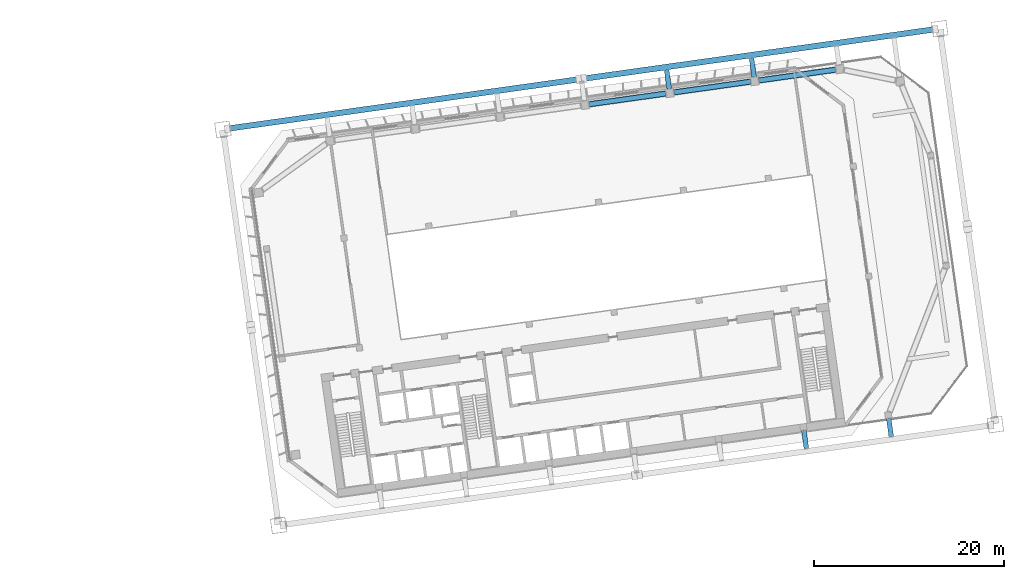
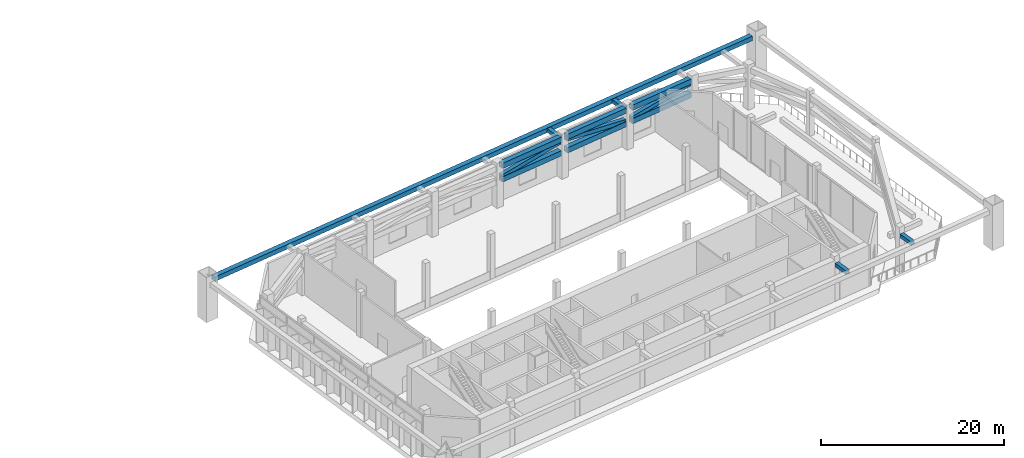
# One storey, part 15 of 41: 14 members.
"""IFC4 building model written with IfcOpenShell, lengths in metres."""

from ifc_helpers import new_model, si_unit, direction, frame, origin, origin_2d, place, context, subcontext, project, spatial, hollow_rectangle, extrude, material, material_profile, profile_set, type_object, element, save


model = new_model("IFC4")

# Units and contexts
model_context = context("Model", 3, precision=1e-05, world=origin(), true_north=direction((0.0, 1.0)))
body_context = subcontext(model_context, "Body", "Model", "MODEL_VIEW")
ifc_project = project(units=[si_unit("LENGTHUNIT", "METRE"), si_unit("AREAUNIT", "SQUARE_METRE"), si_unit("VOLUMEUNIT", "CUBIC_METRE"), si_unit("PLANEANGLEUNIT", "RADIAN"), si_unit("MASSUNIT", "GRAM", prefix="KILO")], contexts=[model_context])

# Site, building, storey
site_placement = place(None, origin())
site = spatial("IfcSite", under=ifc_project, at=site_placement, CompositionType="ELEMENT")
building_placement = place(site_placement, origin())
building = spatial("IfcBuilding", under=site, at=building_placement, Name="Mirante Cascada Hotel Towers", CompositionType="ELEMENT")
storey_placement = place(building_placement, frame((0.0, 0.0, 92.7)))
storey = spatial("IfcBuildingStorey", under=building, at=storey_placement, Name="L20", CompositionType="ELEMENT", Elevation=92.7)

# Members
ifc_material_1 = material(Name="Steel ASTM A572 Gr 50", Category="steel")
ifc_material_profile_1 = material_profile(ifc_material_1, hollow_rectangle(XDim=0.6, YDim=0.6, WallThickness=0.04, at=origin_2d()), Name="Box chord 600x600x40 ASTM A572 Gr 50")
ifc_profile_set_1 = profile_set([ifc_material_profile_1], Name="Steel ASTM A572 Gr 50")
member_type_1 = type_object("IfcMemberType", Name="Box chord 600x600x40 ASTM A572 Gr 50", PredefinedType="CHORD", material=ifc_profile_set_1)
member_1_placement = place(storey_placement, frame((25.8692, 18.6258, 4.85), z_axis=(0.990268, 0.1391737, 0.0), x_axis=(-0.1391737, 0.990268, 0.0)))
element("IfcMember", 1, at=member_1_placement, inside=storey, type_object=member_type_1, Name="exochord T2 L20 1", PredefinedType="CHORD", context=body_context, shape_type="SweptSolid", body=[
    extrude(hollow_rectangle(XDim=0.6, YDim=0.6, WallThickness=0.04, at=origin_2d()), origin(), (0.0, 0.0, 1.0), 74.4401),
])
ifc_material_2 = material(Name="Steel ASTM A572 Gr 50", Category="steel")
ifc_material_profile_2 = material_profile(ifc_material_2, hollow_rectangle(XDim=0.6, YDim=0.7, WallThickness=0.05, at=origin_2d()), Name="Box chord 700x600x50 ASTM A572 Gr 50")
ifc_profile_set_2 = profile_set([ifc_material_profile_2], Name="Steel ASTM A572 Gr 50")
member_type_2 = type_object("IfcMemberType", Name="Box chord 700x600x50 ASTM A572 Gr 50", PredefinedType="CHORD", material=ifc_profile_set_2)
for number, where, z_axis, x_axis, name in (
    (2, (63.5356, 21.1425, 5.2), (0.990269, 0.1391662, 0.0), (-0.1391662, 0.990269, 0.0), "belt T2 L20 13"),
    (3, (63.5356, 21.1425, 3.4), (0.990269, 0.1391662, 0.0), (-0.1391662, 0.990269, 0.0), "belt T2 L20 14"),
):
    element("IfcMember", number, at=place(storey_placement, frame(where, z_axis=z_axis, x_axis=x_axis)), inside=storey, type_object=member_type_2, Name=name, PredefinedType="CHORD", context=body_context, shape_type="SweptSolid", body=[
        extrude(hollow_rectangle(XDim=0.6, YDim=0.7, WallThickness=0.05, at=origin_2d()), origin(), (0.0, 0.0, 1.0), 8.1399),
    ])
for number, where, z_axis, x_axis, name in (
    (4, (72.448, 22.395, 5.2), (0.9902676, 0.1391765, 0.0), (-0.1391765, 0.9902676, 0.0), "belt T2 L20 16"),
    (5, (72.448, 22.395, 3.4), (0.9902676, 0.1391765, 0.0), (-0.1391765, 0.9902676, 0.0), "belt T2 L20 17"),
    (6, (81.3604, 23.6476, 5.2), (0.9902676, 0.1391765, 0.0), (-0.1391765, 0.9902676, 0.0), "belt T2 L20 19"),
    (7, (81.3604, 23.6476, 3.4), (0.9902676, 0.1391765, 0.0), (-0.1391765, 0.9902676, 0.0), "belt T2 L20 20"),
):
    element("IfcMember", number, at=place(storey_placement, frame(where, z_axis=z_axis, x_axis=x_axis)), inside=storey, type_object=member_type_2, Name=name, PredefinedType="CHORD", context=body_context, shape_type="SweptSolid", body=[
        extrude(hollow_rectangle(XDim=0.6, YDim=0.7, WallThickness=0.05, at=origin_2d()), origin(), (0.0, 0.0, 1.0), 8.14),
    ])
ifc_material_3 = material(Name="Steel ASTM A572 Gr 50", Category="steel")
ifc_material_profile_3 = material_profile(ifc_material_3, hollow_rectangle(XDim=0.5, YDim=0.5, WallThickness=0.035, at=origin_2d()), Name="Box diagonal 500x500x35 ASTM A572 Gr 50")
ifc_profile_set_3 = profile_set([ifc_material_profile_3], Name="Steel ASTM A572 Gr 50")
member_type_3 = type_object("IfcMemberType", Name="Box diagonal 500x500x35 ASTM A572 Gr 50", PredefinedType="BRACE", material=ifc_profile_set_3)
member_2_placement = place(storey_placement, frame((63.5356, 21.1425, 3.75), z_axis=(0.9813489, 0.1379126, 0.1339194), x_axis=(-0.1391662, 0.990269, 0.0)))
element("IfcMember", 8, at=member_2_placement, inside=storey, type_object=member_type_3, Name="belt T2 L20 15", PredefinedType="BRACE", context=body_context, shape_type="SweptSolid", body=[
    extrude(hollow_rectangle(XDim=0.5, YDim=0.5, WallThickness=0.035, at=origin_2d()), origin(), (0.0, 0.0, 1.0), 8.2139),
])
for number, where, z_axis, x_axis, name in (
    (9, (72.448, 22.395, 4.85), (0.9813477, 0.1379229, -0.1339175), (-0.1391765, 0.9902676, 0.0), "belt T2 L20 18"),
    (10, (81.3604, 23.6476, 3.75), (0.9813477, 0.1379229, 0.1339175), (-0.1391765, 0.9902676, 0.0), "belt T2 L20 21"),
):
    element("IfcMember", number, at=place(storey_placement, frame(where, z_axis=z_axis, x_axis=x_axis)), inside=storey, type_object=member_type_3, Name=name, PredefinedType="BRACE", context=body_context, shape_type="SweptSolid", body=[
        extrude(hollow_rectangle(XDim=0.5, YDim=0.5, WallThickness=0.035, at=origin_2d()), origin(), (0.0, 0.0, 1.0), 8.214),
    ])
ifc_material_4 = material(Name="Steel ASTM A572 Gr 50", Category="steel")
ifc_material_profile_4 = material_profile(ifc_material_4, hollow_rectangle(XDim=0.5, YDim=0.5, WallThickness=0.035, at=origin_2d()), Name="Box tie 500x500x35 ASTM A572 Gr 50")
ifc_profile_set_4 = profile_set([ifc_material_profile_4], Name="Steel ASTM A572 Gr 50")
member_type_4 = type_object("IfcMemberType", Name="Box tie 500x500x35 ASTM A572 Gr 50", PredefinedType="STRUT", material=ifc_profile_set_4)
for number, where, z_axis, x_axis, name in (
    (11, (71.9623, 22.761, 4.85), (-0.13917, 0.9902685, 0.0), (-0.9902685, -0.13917, 0.0), "tie T2 L20 9"),
    (12, (80.8747, 24.0136, 4.85), (-0.13917, 0.9902685, 0.0), (-0.9902685, -0.13917, 0.0), "tie T2 L20 11"),
):
    element("IfcMember", number, at=place(storey_placement, frame(where, z_axis=z_axis, x_axis=x_axis)), inside=storey, type_object=member_type_4, Name=name, PredefinedType="STRUT", context=body_context, shape_type="SweptSolid", body=[
        extrude(hollow_rectangle(XDim=0.5, YDim=0.5, WallThickness=0.035, at=origin_2d()), origin(), (0.0, 0.0, 1.0), 2.04),
    ])
for number, where, z_axis, x_axis, name in (
    (13, (86.0881, -13.0819, 4.85), (0.1391766, -0.9902676, 0.0), (0.9902676, 0.1391766, 0.0), "tie T2 L20 12"),
    (14, (95.0006, -11.8293, 4.85), (0.1391766, -0.9902676, 0.0), (0.9902676, 0.1391766, 0.0), "tie T2 L20 14"),
):
    element("IfcMember", number, at=place(storey_placement, frame(where, z_axis=z_axis, x_axis=x_axis)), inside=storey, type_object=member_type_4, Name=name, PredefinedType="STRUT", context=body_context, shape_type="SweptSolid", body=[
        extrude(hollow_rectangle(XDim=0.5, YDim=0.5, WallThickness=0.035, at=origin_2d()), origin(), (0.0, 0.0, 1.0), 1.94),
    ])

save(model, "model.ifc")
